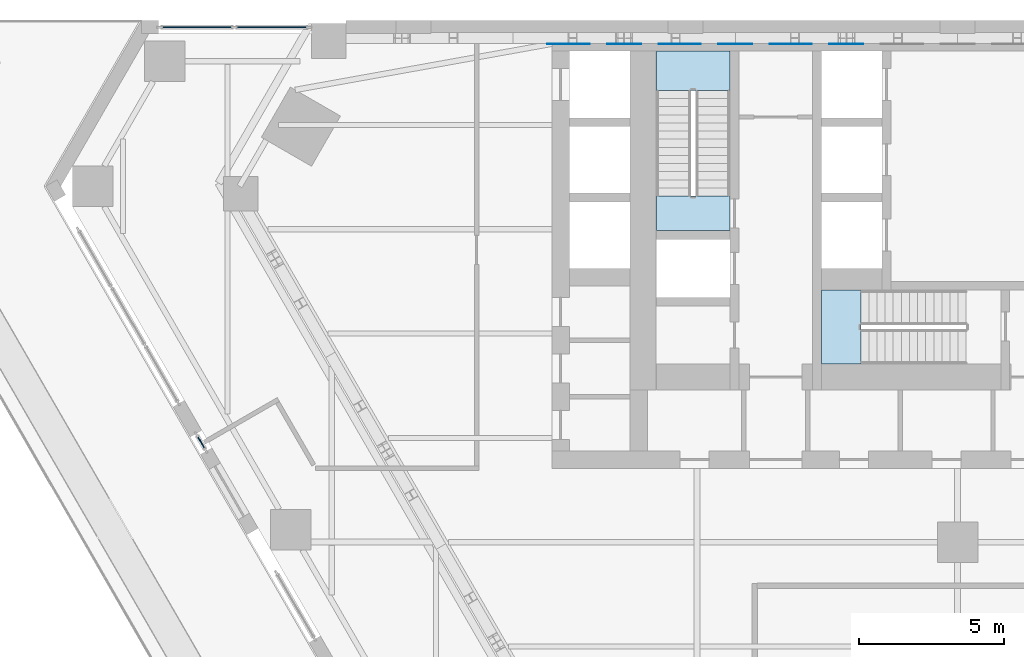
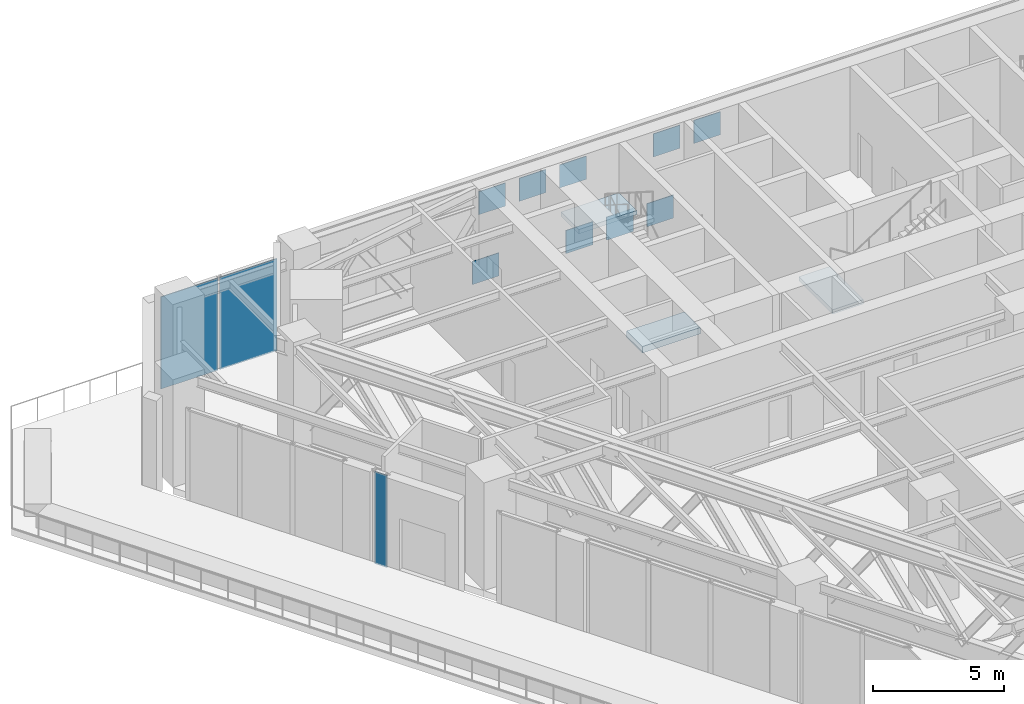
# One storey, part 14 of 25: 12 plates, 3 slabs, 4 elements without a shape of their own.
"""IFC4 building model written with IfcOpenShell, lengths in metres."""

from ifc_helpers import new_model, si_unit, direction, frame, origin, origin_2d, place, context, subcontext, project, spatial, polyline, rectangle, outline, extrude, material, layer, layer_set, type_object, element, aggregate, save


model = new_model("IFC4")

# Units and contexts
model_context = context("Model", 3, precision=1e-05, world=origin(), true_north=direction((0.0, 1.0)))
body_context = subcontext(model_context, "Body", "Model", "MODEL_VIEW")
ifc_project = project(units=[si_unit("LENGTHUNIT", "METRE"), si_unit("AREAUNIT", "SQUARE_METRE"), si_unit("VOLUMEUNIT", "CUBIC_METRE"), si_unit("PLANEANGLEUNIT", "RADIAN"), si_unit("MASSUNIT", "GRAM", prefix="KILO")], contexts=[model_context])

# Site, building, storey
site_placement = place(None, origin())
site = spatial("IfcSite", under=ifc_project, at=site_placement, CompositionType="ELEMENT")
building_placement = place(site_placement, origin())
building = spatial("IfcBuilding", under=site, at=building_placement, Name="Aloe Facet Convention Tower", CompositionType="ELEMENT")
storey_placement = place(building_placement, frame((0.0, 0.0, 30.0)))
storey = spatial("IfcBuildingStorey", under=building, at=storey_placement, Name="L05", CompositionType="ELEMENT", Elevation=30.0)

# Slab
ifc_material_1 = material(Name="Concrete C80/95", Category="concrete")
ifc_layer_1 = layer(ifc_material_1, 0.300048828125)
ifc_layer_set_1 = layer_set([ifc_layer_1], Name="CR-S-FLOOR300-C8095")
slab_type_1 = type_object("IfcSlabType", Name="CR-S-FLOOR300-C8095", PredefinedType="FLOOR", material=ifc_layer_set_1)
slab_1_placement = place(storey_placement, frame((0.0, 0.0, -0.300048828125)))
element("IfcSlab", 1, at=slab_1_placement, inside=storey, type_object=slab_type_1, Name="Stair landing floor L05", PredefinedType="FLOOR", context=body_context, shape_type="SweptSolid", body=[
    extrude(outline(polyline([(72.14990234375, 127.75), (72.14990234375, 128.951171875), (69.60009765625, 128.951171875), (69.60009765625, 127.75), (72.14990234375, 127.75)])), origin(), (0.0, 0.0, 1.0), 0.300048828125),
])

# Stair, slab
ifc_material_2 = material(Name="Concrete C50/60", Category="concrete")
stair_type = type_object("IfcStairType", Name="CR-ST-28R", PredefinedType="HALF_TURN_STAIR", material=ifc_material_2)
stair_1_placement = place(storey_placement, origin())
stair_1 = element("IfcStair", 2, at=stair_1_placement, inside=storey, type_object=stair_type, Name="L05 Protected exit stair ST1", PredefinedType="HALF_TURN_STAIR")
ifc_material_3 = material(Name="Concrete C50/60", Category="concrete")
ifc_layer_2 = layer(ifc_material_3, 0.199951171875)
ifc_layer_set_2 = layer_set([ifc_layer_2], Name="CR-SL-LANDING")
slab_type_2 = type_object("IfcSlabType", Name="CR-SL-LANDING", PredefinedType="LANDING", material=ifc_layer_set_2)
slab_2_placement = place(storey_placement, frame((0.0, 0.0, 2.300048828125)))
slab_2 = element("IfcSlab", 3, at=slab_2_placement, type_object=slab_type_2, Name="ST1 landing 1", PredefinedType="LANDING", context=body_context, shape_type="SweptSolid", body=[
    extrude(outline(polyline([(72.14990234375, 132.590087890625), (72.14990234375, 133.949951171875), (69.60009765625, 133.949951171875), (69.60009765625, 132.590087890625), (72.14990234375, 132.590087890625)])), origin(), (0.0, 0.0, 1.0), 0.199951171875),
])
aggregate(stair_1, [slab_2])

stair_2_placement = place(storey_placement, origin())
stair_2 = element("IfcStair", 4, at=stair_2_placement, inside=storey, type_object=stair_type, Name="L05 Protected exit stair ST3", PredefinedType="HALF_TURN_STAIR")
slab_3_placement = place(storey_placement, frame((0.0, 0.0, 2.300048828125)))
slab_3 = element("IfcSlab", 5, at=slab_3_placement, type_object=slab_type_2, Name="ST3 landing 1", PredefinedType="LANDING", context=body_context, shape_type="SweptSolid", body=[
    extrude(outline(polyline([(76.659912109375, 125.699951171875), (75.300048828125, 125.699951171875), (75.300048828125, 123.14990234375), (76.659912109375, 123.14990234375), (76.659912109375, 125.699951171875)])), origin(), (0.0, 0.0, 1.0), 0.199951171875),
])
aggregate(stair_2, [slab_3])

# Curtain wall, plates
ifc_material_4 = material(Name="Aluminium, anodised", Category="aluminium")
curtain_wall_type = type_object("IfcCurtainWallType", Name="EV-CW-HALL", PredefinedType="USERDEFINED", material=ifc_material_4)
curtain_wall_1_placement = place(storey_placement, origin())
curtain_wall_1 = element("IfcCurtainWall", 6, at=curtain_wall_1_placement, inside=storey, type_object=curtain_wall_type, Name="CW-L05-N12", ObjectType="UNITISED HALL GLAZING", PredefinedType="USERDEFINED")
ifc_material_5 = material(Name="Clear double glazing", Category="glass")
ifc_layer_3 = layer(ifc_material_5, 0.035888671875)
ifc_layer_set_3 = layer_set([ifc_layer_3], Name="EV-PANEL-HALL")
plate_type_1 = type_object("IfcPlateType", Name="EV-PANEL-HALL", PredefinedType="CURTAIN_PANEL", material=ifc_layer_set_3)
plate_1_placement = place(storey_placement, frame((56.327880859375, 134.77490234375, -0.23486328125), z_axis=(0.0, 0.0, 1.0), x_axis=(-1.0, 0.0, 0.0)))
plate_1 = element("IfcPlate", 7, at=plate_1_placement, type_object=plate_type_1, Name="CW-L05-N12 panel 1.1", PredefinedType="CURTAIN_PANEL", context=body_context, shape_type="SweptSolid", body=[
    extrude(rectangle(XDim=2.51416015625, YDim=0.035888671875, at=origin_2d()), origin(), (0.0, 0.0, 1.0), 4.282470703125),
])
plate_2_placement = place(storey_placement, frame((53.74853515625, 134.77490234375, -0.23486328125), z_axis=(0.0, 0.0, 1.0), x_axis=(-1.0, 0.0, 0.0)))
plate_2 = element("IfcPlate", 8, at=plate_2_placement, type_object=plate_type_1, Name="CW-L05-N12 panel 2.1", PredefinedType="CURTAIN_PANEL", context=body_context, shape_type="SweptSolid", body=[
    extrude(rectangle(XDim=2.51416015625, YDim=0.035888671875, at=origin_2d()), origin(), (0.0, 0.0, 1.0), 4.282470703125),
])
aggregate(curtain_wall_1, [plate_1, plate_2])

# Curtain wall, plate
curtain_wall_2_placement = place(storey_placement, origin())
curtain_wall_2 = element("IfcCurtainWall", 9, at=curtain_wall_2_placement, inside=storey, type_object=curtain_wall_type, Name="CW-L05-W04A", ObjectType="UNITISED HALL GLAZING", PredefinedType="USERDEFINED")
plate_3_placement = place(storey_placement, frame((53.890869140625, 120.44287109375, -0.23486328125), z_axis=(0.0, 0.0, 1.0), x_axis=(0.500000000423, -0.86602540354, 0.0)))
plate_3 = element("IfcPlate", 10, at=plate_3_placement, type_object=plate_type_1, Name="CW-L05-W04A panel 1.1", PredefinedType="CURTAIN_PANEL", context=body_context, shape_type="SweptSolid", body=[
    extrude(rectangle(XDim=0.565673828125, YDim=0.035888671875, at=origin_2d()), origin(), (0.0, 0.0, 1.0), 4.282470703125),
])
aggregate(curtain_wall_2, [plate_3])

# Plates
ifc_material_6 = material(Name="Steel S355", Category="steel")
ifc_layer_4 = layer(ifc_material_6, 0.030029296875)
ifc_layer_set_4 = layer_set([ifc_layer_4], Name="STW-CORE END PLATE")
plate_type_2 = type_object("IfcPlateType", Name="STW-CORE END PLATE", PredefinedType="SHEET", material=ifc_layer_set_4)
for number, where, z_axis, x_axis, name in (
    (11, (76.7509765625, 134.212646484375, 3.436767578125), (0.0, 1.0, 0.0), (-1.0, 0.0, 0.0), "Cast-in plate CP-F1-15"),
    (12, (74.693115234375, 134.212646484375, 0.288818359375), (0.0, 1.0, 0.0), (-1.0, 0.0, 0.0), "Cast-in plate CP-F1-16"),
    (13, (74.972412109375, 134.212646484375, 3.436767578125), (0.0, 1.0, 0.0), (-1.0, 0.0, 0.0), "Cast-in plate CP-F1-17"),
    (14, (72.91455078125, 134.212646484375, 0.288818359375), (0.0, 1.0, 0.0), (-1.0, 0.0, 0.0), "Cast-in plate CP-F1-18"),
    (15, (70.856689453125, 134.212646484375, 3.436767578125), (0.0, 1.0, 0.0), (-1.0, 0.0, 0.0), "Cast-in plate CP-F1-19"),
    (16, (71.135986328125, 134.212646484375, 0.288818359375), (0.0, 1.0, 0.0), (-1.0, 0.0, 0.0), "Cast-in plate CP-F1-20"),
    (17, (69.078125, 134.212646484375, 3.436767578125), (0.0, 1.0, 0.0), (-1.0, 0.0, 0.0), "Cast-in plate CP-F1-21"),
):
    element("IfcPlate", number, at=place(storey_placement, frame(where, z_axis=z_axis, x_axis=x_axis)), inside=storey, type_object=plate_type_2, Name=name, PredefinedType="SHEET", context=body_context, shape_type="SweptSolid", body=[
        extrude(outline(polyline([(0.0, 0.0), (1.174560546875, 0.0), (1.174560546875, 1.074462890625), (0.0, 1.074462890625), (0.0, 0.0)])), origin(), (0.0, 0.0, -1.0), 0.030029296875),
    ])
plate_4_placement = place(storey_placement, frame((67.0205078125, 134.212646484375, 0.288818359375), z_axis=(0.0, 1.0, 0.0), x_axis=(-1.0, 0.0, 0.0)))
element("IfcPlate", 18, at=plate_4_placement, inside=storey, type_object=plate_type_2, Name="Cast-in plate CP-F1-22", PredefinedType="SHEET", context=body_context, shape_type="SweptSolid", body=[
    extrude(outline(polyline([(0.0, 0.0), (1.1748046875, 0.0), (1.1748046875, 1.074462890625), (0.0, 1.074462890625), (0.0, 0.0)])), origin(), (0.0, 0.0, -1.0), 0.030029296875),
])
plate_5_placement = place(storey_placement, frame((67.299560546875, 134.212646484375, 3.436767578125), z_axis=(0.0, 1.0, 0.0), x_axis=(-1.0, 0.0, 0.0)))
element("IfcPlate", 19, at=plate_5_placement, inside=storey, type_object=plate_type_2, Name="Cast-in plate CP-F1-23", PredefinedType="SHEET", context=body_context, shape_type="SweptSolid", body=[
    extrude(outline(polyline([(0.0, 0.0), (1.174560546875, 0.0), (1.174560546875, 1.074462890625), (0.0, 1.074462890625), (0.0, 0.0)])), origin(), (0.0, 0.0, -1.0), 0.030029296875),
])

save(model, "model.ifc")
